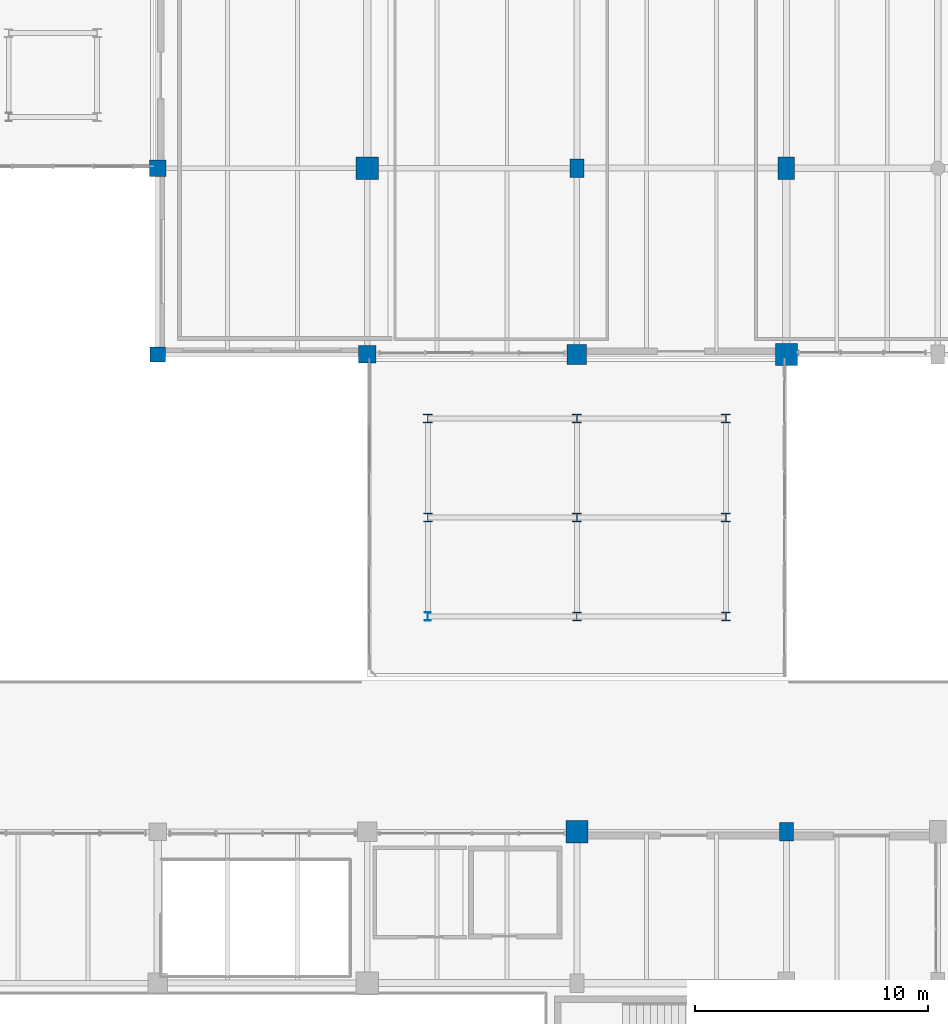
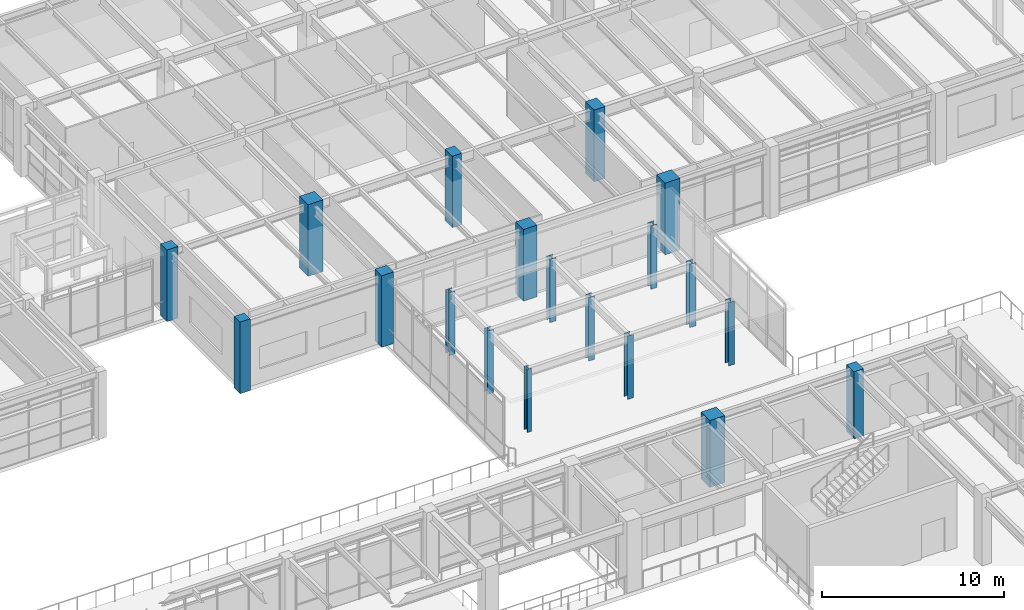
# One storey, part 9 of 200: 19 columns.
"""IFC4 building model written with IfcOpenShell, lengths in metres."""

from ifc_helpers import new_model, si_unit, direction, frame, origin, origin_2d, place, context, subcontext, project, spatial, rectangle, i_section, extrude, material, material_profile, profile_set, type_object, element, save


model = new_model("IFC4")

# Units and contexts
model_context = context("Model", 3, precision=1e-05, world=origin(), true_north=direction((0.0, 1.0)))
body_context = subcontext(model_context, "Body", "Model", "MODEL_VIEW")
ifc_project = project(units=[si_unit("LENGTHUNIT", "METRE"), si_unit("AREAUNIT", "SQUARE_METRE"), si_unit("VOLUMEUNIT", "CUBIC_METRE"), si_unit("PLANEANGLEUNIT", "RADIAN"), si_unit("MASSUNIT", "GRAM", prefix="KILO"), si_unit("THERMODYNAMICTEMPERATUREUNIT", "KELVIN"), si_unit("POWERUNIT", "WATT")], contexts=[model_context])

# Site, building, storey
site_placement = place(None, origin())
site = spatial("IfcSite", under=ifc_project, at=site_placement, CompositionType="ELEMENT")
building_placement = place(site_placement, origin())
building = spatial("IfcBuilding", under=site, at=building_placement, Name="Tepalcoro Natatorium and Aquatics Centre", CompositionType="ELEMENT")
storey_placement = place(building_placement, frame((0.0, 0.0, 5.39990234375)))
storey = spatial("IfcBuildingStorey", under=building, at=storey_placement, Name="L01", CompositionType="ELEMENT", Elevation=5.39990234375)

# Columns
ifc_material_1 = material(Name="Concrete C40/50 (fc 40 MPa)", Category="concrete")
ifc_material_profile_1 = material_profile(ifc_material_1, rectangle(XDim=0.60009765625, YDim=0.800048828125, at=origin_2d()), Name="RC600x800")
ifc_profile_set_1 = profile_set([ifc_material_profile_1], Name="Concrete C40/50 (fc 40 MPa)")
column_type_1 = type_object("IfcColumnType", Name="COL_RC_600x800", PredefinedType="COLUMN", material=ifc_profile_set_1)
column_1_placement = place(storey_placement, frame((125.0, 65.5, 0.0), z_axis=(0.0, 0.0, 1.0), x_axis=(1.0, 0.0, 0.0)))
element("IfcColumn", 1, at=column_1_placement, inside=storey, type_object=column_type_1, Name="V1 L01 Grid Column (125.0, 65.5)", PredefinedType="COLUMN", context=body_context, shape_type="SweptSolid", body=[
    extrude(rectangle(XDim=0.60009765625, YDim=0.800048828125, at=origin_2d()), origin(), (0.0, 0.0, 1.0), 4.47998046875),
])
column_2_placement = place(storey_placement, frame((116.0, 94.0, 0.0), z_axis=(0.0, 0.0, 1.0), x_axis=(1.0, 0.0, 0.0)))
element("IfcColumn", 2, at=column_2_placement, inside=storey, type_object=column_type_1, Name="V5 L01 Grid Column (116.0, 94.0)", PredefinedType="COLUMN", context=body_context, shape_type="SweptSolid", body=[
    extrude(rectangle(XDim=0.60009765625, YDim=0.800048828125, at=origin_2d()), origin(), (0.0, 0.0, 1.0), 4.800048828125),
])
ifc_material_profile_2 = material_profile(ifc_material_1, rectangle(XDim=0.64990234375, YDim=0.64990234375, at=origin_2d()), Name="RC650x650")
ifc_profile_set_2 = profile_set([ifc_material_profile_2], Name="Concrete C40/50 (fc 40 MPa)")
column_type_2 = type_object("IfcColumnType", Name="COL_RC_650x650", PredefinedType="COLUMN", material=ifc_profile_set_2)
column_3_placement = place(storey_placement, frame((98.0, 86.0, 0.0), z_axis=(0.0, 0.0, 1.0), x_axis=(1.0, 0.0, 0.0)))
element("IfcColumn", 3, at=column_3_placement, inside=storey, type_object=column_type_2, Name="V5 L01 Grid Column (98.0, 86.0)", PredefinedType="COLUMN", context=body_context, shape_type="SweptSolid", body=[
    extrude(rectangle(XDim=0.64990234375, YDim=0.64990234375, at=origin_2d()), origin(), (0.0, 0.0, 1.0), 4.800048828125),
])
ifc_material_profile_3 = material_profile(ifc_material_1, rectangle(XDim=0.699951171875, YDim=0.699951171875, at=origin_2d()), Name="RC700x700")
ifc_profile_set_3 = profile_set([ifc_material_profile_3], Name="Concrete C40/50 (fc 40 MPa)")
column_type_3 = type_object("IfcColumnType", Name="COL_RC_700x700", PredefinedType="COLUMN", material=ifc_profile_set_3)
column_4_placement = place(storey_placement, frame((98.0, 94.0, 0.0), z_axis=(0.0, 0.0, 1.0), x_axis=(1.0, 0.0, 0.0)))
element("IfcColumn", 4, at=column_4_placement, inside=storey, type_object=column_type_3, Name="V5 L01 Grid Column (98.0, 94.0)", PredefinedType="COLUMN", context=body_context, shape_type="SweptSolid", body=[
    extrude(rectangle(XDim=0.699951171875, YDim=0.699951171875, at=origin_2d()), origin(), (0.0, 0.0, 1.0), 4.800048828125),
])
ifc_material_profile_4 = material_profile(ifc_material_1, rectangle(XDim=0.699951171875, YDim=0.949951171875, at=origin_2d()), Name="RC700x950")
ifc_profile_set_4 = profile_set([ifc_material_profile_4], Name="Concrete C40/50 (fc 40 MPa)")
column_type_4 = type_object("IfcColumnType", Name="COL_RC_700x950", PredefinedType="COLUMN", material=ifc_profile_set_4)
column_5_placement = place(storey_placement, frame((125.0, 94.0, 0.0), z_axis=(0.0, 0.0, 1.0), x_axis=(1.0, 0.0, 0.0)))
element("IfcColumn", 5, at=column_5_placement, inside=storey, type_object=column_type_4, Name="V5 L01 Grid Column (125.0, 94.0)", PredefinedType="COLUMN", context=body_context, shape_type="SweptSolid", body=[
    extrude(rectangle(XDim=0.699951171875, YDim=0.949951171875, at=origin_2d()), origin(), (0.0, 0.0, 1.0), 4.800048828125),
])
ifc_material_profile_5 = material_profile(ifc_material_1, rectangle(XDim=0.75, YDim=0.75, at=origin_2d()), Name="RC750x750")
ifc_profile_set_5 = profile_set([ifc_material_profile_5], Name="Concrete C40/50 (fc 40 MPa)")
column_type_5 = type_object("IfcColumnType", Name="COL_RC_750x750", PredefinedType="COLUMN", material=ifc_profile_set_5)
column_6_placement = place(storey_placement, frame((107.0, 86.0, 0.0), z_axis=(0.0, 0.0, 1.0), x_axis=(1.0, 0.0, 0.0)))
element("IfcColumn", 6, at=column_6_placement, inside=storey, type_object=column_type_5, Name="V5 L01 Grid Column (107.0, 86.0)", PredefinedType="COLUMN", context=body_context, shape_type="SweptSolid", body=[
    extrude(rectangle(XDim=0.75, YDim=0.75, at=origin_2d()), origin(), (0.0, 0.0, 1.0), 4.800048828125),
])
ifc_material_profile_6 = material_profile(ifc_material_1, rectangle(XDim=0.85009765625, YDim=0.85009765625, at=origin_2d()), Name="RC850x850")
ifc_profile_set_6 = profile_set([ifc_material_profile_6], Name="Concrete C40/50 (fc 40 MPa)")
column_type_6 = type_object("IfcColumnType", Name="COL_RC_850x850", PredefinedType="COLUMN", material=ifc_profile_set_6)
column_7_placement = place(storey_placement, frame((116.0, 86.0, 0.0), z_axis=(0.0, 0.0, 1.0), x_axis=(1.0, 0.0, 0.0)))
element("IfcColumn", 7, at=column_7_placement, inside=storey, type_object=column_type_6, Name="V5 L01 Grid Column (116.0, 86.0)", PredefinedType="COLUMN", context=body_context, shape_type="SweptSolid", body=[
    extrude(rectangle(XDim=0.85009765625, YDim=0.85009765625, at=origin_2d()), origin(), (0.0, 0.0, 1.0), 4.800048828125),
])
ifc_material_profile_7 = material_profile(ifc_material_1, rectangle(XDim=0.949951171875, YDim=0.949951171875, at=origin_2d()), Name="RC950x950")
ifc_profile_set_7 = profile_set([ifc_material_profile_7], Name="Concrete C40/50 (fc 40 MPa)")
column_type_7 = type_object("IfcColumnType", Name="COL_RC_950x950", PredefinedType="COLUMN", material=ifc_profile_set_7)
column_8_placement = place(storey_placement, frame((116.0, 65.5, 0.0), z_axis=(0.0, 0.0, 1.0), x_axis=(1.0, 0.0, 0.0)))
element("IfcColumn", 8, at=column_8_placement, inside=storey, type_object=column_type_7, Name="V1 L01 Grid Column (116.0, 65.5)", PredefinedType="COLUMN", context=body_context, shape_type="SweptSolid", body=[
    extrude(rectangle(XDim=0.949951171875, YDim=0.949951171875, at=origin_2d()), origin(), (0.0, 0.0, 1.0), 4.47998046875),
])
for number, where, z_axis, x_axis, name in (
    (9, (107.0, 94.0, 0.0), (0.0, 0.0, 1.0), (1.0, 0.0, 0.0), "V5 L01 Grid Column (107.0, 94.0)"),
    (10, (125.0, 86.0, 0.0), (0.0, 0.0, 1.0), (1.0, 0.0, 0.0), "V5 L01 Grid Column (125.0, 86.0)"),
):
    element("IfcColumn", number, at=place(storey_placement, frame(where, z_axis=z_axis, x_axis=x_axis)), inside=storey, type_object=column_type_7, Name=name, PredefinedType="COLUMN", context=body_context, shape_type="SweptSolid", body=[
        extrude(rectangle(XDim=0.949951171875, YDim=0.949951171875, at=origin_2d()), origin(), (0.0, 0.0, 1.0), 4.800048828125),
    ])
ifc_material_2 = material(Name="Steel ASTM A992 Grade 50 (Fy 345 MPa)", Category="steel")
ifc_material_profile_8 = material_profile(ifc_material_2, i_section(OverallWidth=0.373046875, OverallDepth=0.367919921875, WebThickness=0.014892578125, FlangeThickness=0.02392578125, FilletRadius=0.013916015625, at=origin_2d()), Name="W14X120")
ifc_profile_set_8 = profile_set([ifc_material_profile_8], Name="Steel ASTM A992 Grade 50 (Fy 345 MPa)")
column_type_8 = type_object("IfcColumnType", Name="COL_W14x120", PredefinedType="COLUMN", material=ifc_profile_set_8)
for number, where, z_axis, x_axis, name in (
    (11, (109.60009765625, 83.25, 0.0), (0.0, 0.0, 1.0), (1.0, 0.0, 0.0), "East Court Wellness Arcade Column L01"),
    (12, (116.0, 79.0, 0.0), (0.0, 0.0, 1.0), (1.0, 0.0, 0.0), "East Court Wellness Arcade Column L01"),
    (13, (122.39990234375, 74.75, 0.0), (0.0, 0.0, 1.0), (1.0, 0.0, 0.0), "East Court Wellness Arcade Column L01"),
):
    element("IfcColumn", number, at=place(storey_placement, frame(where, z_axis=z_axis, x_axis=x_axis)), inside=storey, type_object=column_type_8, Name=name, PredefinedType="COLUMN", context=body_context, shape_type="SweptSolid", body=[
        extrude(i_section(OverallWidth=0.373046875, OverallDepth=0.367919921875, WebThickness=0.014892578125, FlangeThickness=0.02392578125, FilletRadius=0.013916015625, at=origin_2d()), origin(), (0.0, 0.0, 1.0), 4.239990234375),
    ])
ifc_material_profile_9 = material_profile(ifc_material_2, i_section(OverallWidth=0.39404296875, OverallDepth=0.3759765625, WebThickness=0.01708984375, FlangeThickness=0.028076171875, FilletRadius=0.013916015625, at=origin_2d()), Name="W14X145")
ifc_profile_set_9 = profile_set([ifc_material_profile_9], Name="Steel ASTM A992 Grade 50 (Fy 345 MPa)")
column_type_9 = type_object("IfcColumnType", Name="COL_W14x145", PredefinedType="COLUMN", material=ifc_profile_set_9)
for number, where, z_axis, x_axis, name in (
    (14, (116.0, 83.25, 0.0), (0.0, 0.0, 1.0), (1.0, 0.0, 0.0), "East Court Wellness Arcade Column L01"),
    (15, (122.39990234375, 79.0, 0.0), (0.0, 0.0, 1.0), (1.0, 0.0, 0.0), "East Court Wellness Arcade Column L01"),
):
    element("IfcColumn", number, at=place(storey_placement, frame(where, z_axis=z_axis, x_axis=x_axis)), inside=storey, type_object=column_type_9, Name=name, PredefinedType="COLUMN", context=body_context, shape_type="SweptSolid", body=[
        extrude(i_section(OverallWidth=0.39404296875, OverallDepth=0.3759765625, WebThickness=0.01708984375, FlangeThickness=0.028076171875, FilletRadius=0.013916015625, at=origin_2d()), origin(), (0.0, 0.0, 1.0), 4.239990234375),
    ])
ifc_material_profile_10 = material_profile(ifc_material_2, i_section(OverallWidth=0.39892578125, OverallDepth=0.385986328125, WebThickness=0.02099609375, FlangeThickness=0.032958984375, FilletRadius=0.013916015625, at=origin_2d()), Name="W14X176")
ifc_profile_set_10 = profile_set([ifc_material_profile_10], Name="Steel ASTM A992 Grade 50 (Fy 345 MPa)")
column_type_10 = type_object("IfcColumnType", Name="COL_W14x176", PredefinedType="COLUMN", material=ifc_profile_set_10)
column_9_placement = place(storey_placement, frame((122.39990234375, 83.25, 0.0), z_axis=(0.0, 0.0, 1.0), x_axis=(1.0, 0.0, 0.0)))
element("IfcColumn", 16, at=column_9_placement, inside=storey, type_object=column_type_10, Name="East Court Wellness Arcade Column L01", PredefinedType="COLUMN", context=body_context, shape_type="SweptSolid", body=[
    extrude(i_section(OverallWidth=0.39892578125, OverallDepth=0.385986328125, WebThickness=0.02099609375, FlangeThickness=0.032958984375, FilletRadius=0.013916015625, at=origin_2d()), origin(), (0.0, 0.0, 1.0), 4.239990234375),
])
ifc_material_profile_11 = material_profile(ifc_material_2, i_section(OverallWidth=0.25390625, OverallDepth=0.35595703125, WebThickness=0.010986328125, FlangeThickness=0.01806640625, FilletRadius=0.013916015625, at=origin_2d()), Name="W14X68")
ifc_profile_set_11 = profile_set([ifc_material_profile_11], Name="Steel ASTM A992 Grade 50 (Fy 345 MPa)")
column_type_11 = type_object("IfcColumnType", Name="COL_W14x68", PredefinedType="COLUMN", material=ifc_profile_set_11)
column_10_placement = place(storey_placement, frame((109.60009765625, 74.75, 0.0), z_axis=(0.0, 0.0, 1.0), x_axis=(1.0, 0.0, 0.0)))
element("IfcColumn", 17, at=column_10_placement, inside=storey, type_object=column_type_11, Name="East Court Wellness Arcade Column L01", PredefinedType="COLUMN", context=body_context, shape_type="SweptSolid", body=[
    extrude(i_section(OverallWidth=0.25390625, OverallDepth=0.35595703125, WebThickness=0.010986328125, FlangeThickness=0.01806640625, FilletRadius=0.013916015625, at=origin_2d()), origin(), (0.0, 0.0, 1.0), 4.239990234375),
])
ifc_material_profile_12 = material_profile(ifc_material_2, i_section(OverallWidth=0.367919921875, OverallDepth=0.35595703125, WebThickness=0.010986328125, FlangeThickness=0.01806640625, FilletRadius=0.013916015625, at=origin_2d()), Name="W14X90")
ifc_profile_set_12 = profile_set([ifc_material_profile_12], Name="Steel ASTM A992 Grade 50 (Fy 345 MPa)")
column_type_12 = type_object("IfcColumnType", Name="COL_W14x90", PredefinedType="COLUMN", material=ifc_profile_set_12)
for number, where, z_axis, x_axis, name in (
    (18, (109.60009765625, 79.0, 0.0), (0.0, 0.0, 1.0), (1.0, 0.0, 0.0), "East Court Wellness Arcade Column L01"),
    (19, (116.0, 74.75, 0.0), (0.0, 0.0, 1.0), (1.0, 0.0, 0.0), "East Court Wellness Arcade Column L01"),
):
    element("IfcColumn", number, at=place(storey_placement, frame(where, z_axis=z_axis, x_axis=x_axis)), inside=storey, type_object=column_type_12, Name=name, PredefinedType="COLUMN", context=body_context, shape_type="SweptSolid", body=[
        extrude(i_section(OverallWidth=0.367919921875, OverallDepth=0.35595703125, WebThickness=0.010986328125, FlangeThickness=0.01806640625, FilletRadius=0.013916015625, at=origin_2d()), origin(), (0.0, 0.0, 1.0), 4.239990234375),
    ])

save(model, "model.ifc")
